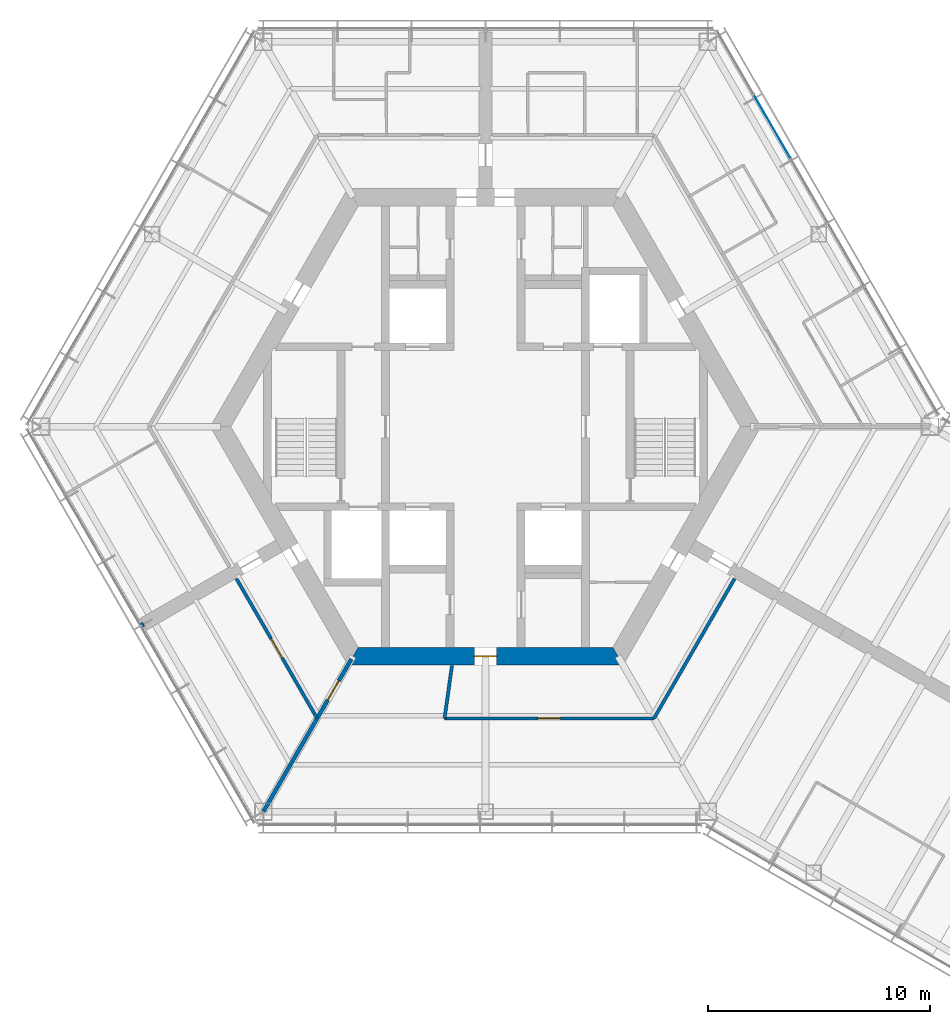
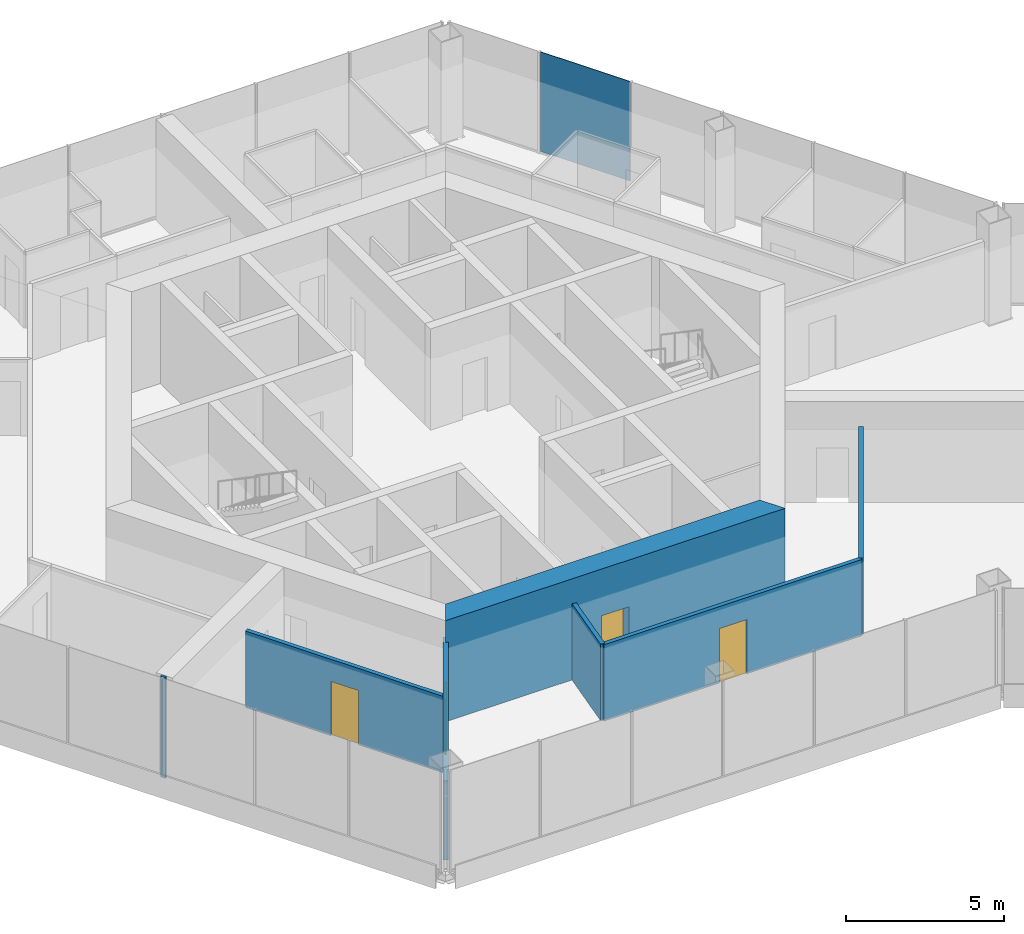
# One storey, part 9 of 14: 7 walls, 4 doors, 1 plate, 4 openings, 1 element without a shape of its own.
"""IFC4 building model written with IfcOpenShell, lengths in metres."""

from ifc_helpers import new_model, si_unit, direction, frame, frame_2d, origin, origin_2d, place, context, subcontext, project, spatial, polyline, rectangle, outline, extrude, material, layer, layer_set, type_object, element, fill, aggregate, save


model = new_model("IFC4")

# Units and contexts
model_context = context("Model", 3, precision=1e-05, world=origin(), true_north=direction((0.0, 1.0)))
body_context = subcontext(model_context, "Body", "Model", "MODEL_VIEW")
ifc_project = project(units=[si_unit("LENGTHUNIT", "METRE"), si_unit("AREAUNIT", "SQUARE_METRE"), si_unit("VOLUMEUNIT", "CUBIC_METRE"), si_unit("PLANEANGLEUNIT", "RADIAN"), si_unit("MASSUNIT", "GRAM", prefix="KILO")], contexts=[model_context])

# Site, building, storey
site_placement = place(None, origin())
site = spatial("IfcSite", under=ifc_project, at=site_placement, CompositionType="ELEMENT")
building_placement = place(site_placement, origin())
building = spatial("IfcBuilding", under=site, at=building_placement, Name="Kasaneha Research Tower", CompositionType="ELEMENT")
storey_placement = place(building_placement, frame((0.0, 0.0, 216.699951171875)))
storey = spatial("IfcBuildingStorey", under=building, at=storey_placement, Name="L54", CompositionType="ELEMENT", Elevation=216.699951171875)

# Curtain wall, plate
ifc_material_1 = material(Name="Glass and aluminium", Category="aluminium")
curtain_wall_type = type_object("IfcCurtainWallType", Name="High-rise office curtain wall", PredefinedType="USERDEFINED", material=ifc_material_1)
curtain_wall_placement = place(storey_placement, origin())
curtain_wall = element("IfcCurtainWall", 1, at=curtain_wall_placement, inside=storey, type_object=curtain_wall_type, Name="CW-O3 L54 run 01a", ObjectType="UNITISED CURTAIN WALL", PredefinedType="USERDEFINED")
ifc_material_2 = material(Name="Laminated double glazing", Category="glass")
ifc_layer_1 = layer(ifc_material_2, 0.02392578125)
ifc_layer_set_1 = layer_set([ifc_layer_1], Name="CW-O3 glazed panel")
plate_type = type_object("IfcPlateType", Name="CW-O3 glazed panel", PredefinedType="CURTAIN_PANEL", material=ifc_layer_set_1)
plate_placement = place(storey_placement, frame((12.89453125, 13.5068359375, 0.06005859375), z_axis=(0.0, 0.0, 1.0), x_axis=(-0.499999979232, 0.866025415775, 0.0)))
plate = element("IfcPlate", 2, at=plate_placement, type_object=plate_type, Name="CW-O3 panel 5", PredefinedType="CURTAIN_PANEL", context=body_context, shape_type="SweptSolid", body=[
    extrude(rectangle(XDim=3.27099609375, YDim=0.02392578125, at=origin_2d()), origin(), (0.0, 0.0, 1.0), 3.840087890625),
])
aggregate(curtain_wall, [plate])

# Wall, opening, door
ifc_material_3 = material(Name="Concrete Fc60", Category="concrete")
ifc_layer_2 = layer(ifc_material_3, 0.800048828125)
ifc_layer_set_2 = layer_set([ifc_layer_2], Name="Core wall 800 Fc60")
wall_type_1 = type_object("IfcWallType", Name="Core wall 800 Fc60", PredefinedType="SHEAR", material=ifc_layer_set_2)
wall_1_placement = place(storey_placement, frame((-5.961181640625, -10.324951171875, 0.0), z_axis=(0.0, 0.0, 1.0), x_axis=(1.0, 0.0, 0.0)))
wall_1 = element("IfcWall", 3, at=wall_1_placement, inside=storey, type_object=wall_type_1, Name="Core wall 270 L54", PredefinedType="SHEAR", context=body_context, shape_type="SweptSolid", body=[
    extrude(outline(polyline([(-0.23095703125, -0.39990234375), (5.461181640625, -0.39990234375), (6.461181640625, -0.39990234375), (12.1533203125, -0.39990234375), (11.69140625, 0.39990234375), (6.461181640625, 0.39990234375), (5.461181640625, 0.39990234375), (0.23095703125, 0.39990234375), (-0.23095703125, -0.39990234375)])), origin(), (0.0, 0.0, 1.0), 3.900146484375),
])
opening_1_placement = place(wall_1_placement, frame((5.461181640625, 0.0, 0.0)))
opening_1 = element("IfcOpeningElement", 4, at=opening_1_placement, cuts=wall_1, Name="Opening L54-D03", PredefinedType="OPENING", context=body_context, shape_type="SweptSolid", body=[
    extrude(rectangle(XDim=1.0, YDim=2.10009765625, at=frame_2d((0.5, 1.050048828125))), frame((0.0, 0.41015625, 0.0), z_axis=(0.0, -1.0, 0.0), x_axis=(1.0, 0.0, 0.0)), (0.0, 0.0, 1.0), 0.820068359375),
])
ifc_material_4 = material(Name="Steel", Category="steel")
door_type_1 = type_object("IfcDoorType", Name="Fire door FD20 1000x2100", OperationType="NOTDEFINED", PredefinedType="DOOR", material=ifc_material_4)
door_1_placement = place(opening_1_placement, origin())
door_1 = element("IfcDoor", 5, at=door_1_placement, inside=storey, type_object=door_type_1, Name="Core door south L54-D03", OperationType="SINGLE_SWING_LEFT", OverallHeight=2.10009765625, OverallWidth=1.0, PredefinedType="DOOR", context=body_context, shape_type="SweptSolid", body=[
    extrude(rectangle(XDim=1.0, YDim=2.10009765625, at=frame_2d((0.5, 1.050048828125))), frame((0.0, 0.02490234375, 0.0), z_axis=(0.0, -1.0, 0.0), x_axis=(1.0, 0.0, 0.0)), (0.0, 0.0, 1.0), 0.050048828125),
])
fill(opening_1, door_1)

ifc_material_5 = material(Name="Gypsum board on steel studs, two layers each side", Category="steel")
ifc_layer_3 = layer(ifc_material_5, 0.14990234375)
ifc_layer_set_3 = layer_set([ifc_layer_3], Name="Suite partition 150")
wall_type_2 = type_object("IfcWallType", Name="Suite partition 150", PredefinedType="PARTITIONING", material=ifc_layer_set_3)
wall_2_placement = place(storey_placement, frame((-7.58935546875, -13.10498046875, 0.0), z_axis=(0.0, 0.0, 1.0), x_axis=(-0.499986333712, 0.866033293876, 0.0)))
wall_2 = element("IfcWall", 6, at=wall_2_placement, inside=storey, type_object=wall_type_2, Name="Suite partition FBS01 L54", PredefinedType="PARTITIONING", context=body_context, shape_type="SweptSolid", body=[
    extrude(rectangle(XDim=7.234619140625, YDim=0.14990234375, at=frame_2d((3.6171875, 0.0))), origin(), (0.0, 0.0, 1.0), 2.949951171875),
])
opening_2_placement = place(wall_2_placement, frame((3.1171875, 0.0, 0.0)))
opening_2 = element("IfcOpeningElement", 7, at=opening_2_placement, cuts=wall_2, Name="Opening L54-D40", PredefinedType="OPENING", context=body_context, shape_type="SweptSolid", body=[
    extrude(rectangle(XDim=1.0, YDim=2.10009765625, at=frame_2d((0.5, 1.050048828125))), frame((0.0, 0.0849609375, 0.0), z_axis=(0.0, -1.0, 0.0), x_axis=(1.0, 0.0, 0.0)), (0.0, 0.0, 1.0), 0.169921875),
])
ifc_material_6 = material(Name="Steel", Category="steel")
door_type_2 = type_object("IfcDoorType", Name="Suite entrance door FD60 1000x2100", OperationType="NOTDEFINED", PredefinedType="DOOR", material=ifc_material_6)
door_2_placement = place(opening_2_placement, origin())
door_2 = element("IfcDoor", 8, at=door_2_placement, inside=storey, type_object=door_type_2, Name="Suite entrance door L54-D40", OperationType="SINGLE_SWING_LEFT", OverallHeight=2.10009765625, OverallWidth=1.0, PredefinedType="DOOR", context=body_context, shape_type="SweptSolid", body=[
    extrude(rectangle(XDim=1.0, YDim=2.10009765625, at=frame_2d((0.5, 1.050048828125))), frame((0.0, 0.02490234375, 0.0), z_axis=(0.0, -1.0, 0.0), x_axis=(1.0, 0.0, 0.0)), (0.0, 0.0, 1.0), 0.050048828125),
])
fill(opening_2, door_2)

# Wall
wall_3_placement = place(storey_placement, frame((-1.844482421875, -13.125, 0.0), z_axis=(0.0, 0.0, 1.0), x_axis=(0.139173892267, 0.99026795753, 0.0)))
element("IfcWall", 9, at=wall_3_placement, inside=storey, type_object=wall_type_2, Name="Suite partition FCS01 L54", PredefinedType="PARTITIONING", context=body_context, shape_type="SweptSolid", body=[
    extrude(rectangle(XDim=2.4033203125, YDim=0.14990234375, at=frame_2d((1.20166015625, 0.0))), origin(), (0.0, 0.0, 1.0), 2.949951171875),
])

# Wall, opening, door
wall_4_placement = place(storey_placement, frame((7.57763671875, -13.125, 0.0), z_axis=(0.0, 0.0, 1.0), x_axis=(-1.0, 0.0, 0.0)))
wall_4 = element("IfcWall", 10, at=wall_4_placement, inside=storey, type_object=wall_type_2, Name="Suite partition FCS02 L54", PredefinedType="PARTITIONING", context=body_context, shape_type="SweptSolid", body=[
    extrude(rectangle(XDim=9.422119140625, YDim=0.14990234375, at=frame_2d((4.7109375, 0.0))), origin(), (0.0, 0.0, 1.0), 2.949951171875),
])
opening_3_placement = place(wall_4_placement, frame((4.211181640625, 0.0, 0.0)))
opening_3 = element("IfcOpeningElement", 11, at=opening_3_placement, cuts=wall_4, Name="Opening L54-D42", PredefinedType="OPENING", context=body_context, shape_type="SweptSolid", body=[
    extrude(rectangle(XDim=1.0, YDim=2.10009765625, at=frame_2d((0.5, 1.050048828125))), frame((0.0, 0.0849609375, 0.0), z_axis=(0.0, -1.0, 0.0), x_axis=(1.0, 0.0, 0.0)), (0.0, 0.0, 1.0), 0.169921875),
])
door_3_placement = place(opening_3_placement, origin())
door_3 = element("IfcDoor", 12, at=door_3_placement, inside=storey, type_object=door_type_2, Name="Suite entrance door L54-D42", OperationType="SINGLE_SWING_LEFT", OverallHeight=2.10009765625, OverallWidth=1.0, PredefinedType="DOOR", context=body_context, shape_type="SweptSolid", body=[
    extrude(rectangle(XDim=1.0, YDim=2.10009765625, at=frame_2d((0.5, 1.050048828125))), frame((0.0, 0.02490234375, 0.0), z_axis=(0.0, -1.0, 0.0), x_axis=(1.0, 0.0, 0.0)), (0.0, 0.0, 1.0), 0.050048828125),
])
fill(opening_3, door_3)

# Wall
wall_5_placement = place(storey_placement, frame((11.20654296875, -6.839599609375, 0.0), z_axis=(0.0, 0.0, 1.0), x_axis=(-0.500002959843, -0.866023694911, 0.0)))
element("IfcWall", 13, at=wall_5_placement, inside=storey, type_object=wall_type_2, Name="Suite partition FCS03 L54", PredefinedType="PARTITIONING", context=body_context, shape_type="SweptSolid", body=[
    extrude(rectangle(XDim=7.2578125, YDim=0.14990234375, at=frame_2d((3.62890625, 0.0))), origin(), (0.0, 0.0, 1.0), 2.949951171875),
])

# Wall, opening, door
ifc_material_7 = material(Name="Gypsum board on steel studs, two layers each side", Category="steel")
ifc_layer_4 = layer(ifc_material_7, 0.175048828125)
ifc_layer_set_4 = layer_set([ifc_layer_4], Name="Tenancy fire partition 175")
wall_type_3 = type_object("IfcWallType", Name="Tenancy fire partition 175", PredefinedType="PARTITIONING", material=ifc_layer_set_4)
wall_6_placement = place(storey_placement, frame((-6.034912109375, -10.45263671875, 0.0), z_axis=(0.0, 0.0, 1.0), x_axis=(-0.499989830942, -0.866031274813, 0.0)))
wall_6 = element("IfcWall", 14, at=wall_6_placement, inside=storey, type_object=wall_type_3, Name="Tenancy fire partition T240 L54", PredefinedType="PARTITIONING", context=body_context, shape_type="SweptSolid", body=[
    extrude(rectangle(XDim=7.930419921875, YDim=0.175048828125, at=frame_2d((3.96533203125, 0.0))), origin(), (0.0, 0.0, 1.0), 3.050048828125),
])
opening_4_placement = place(wall_6_placement, frame((1.1298828125, 0.0, 0.0)))
opening_4 = element("IfcOpeningElement", 15, at=opening_4_placement, cuts=wall_6, Name="Opening L54-D27", PredefinedType="OPENING", context=body_context, shape_type="SweptSolid", body=[
    extrude(rectangle(XDim=1.0, YDim=2.10009765625, at=frame_2d((0.5, 1.050048828125))), frame((0.0, 0.09765625, 0.0), z_axis=(0.0, -1.0, 0.0), x_axis=(1.0, 0.0, 0.0)), (0.0, 0.0, 1.0), 0.195068359375),
])
door_4_placement = place(opening_4_placement, origin())
door_4 = element("IfcDoor", 16, at=door_4_placement, inside=storey, type_object=door_type_2, Name="Connecting door L54-D27", OperationType="SINGLE_SWING_RIGHT", OverallHeight=2.10009765625, OverallWidth=1.0, PredefinedType="DOOR", context=body_context, shape_type="SweptSolid", body=[
    extrude(rectangle(XDim=1.0, YDim=2.10009765625, at=frame_2d((0.5, 1.050048828125))), frame((0.0, 0.02490234375, 0.0), z_axis=(0.0, -1.0, 0.0), x_axis=(1.0, 0.0, 0.0)), (0.0, 0.0, 1.0), 0.050048828125),
])
fill(opening_4, door_4)

# Wall
wall_7_placement = place(storey_placement, frame((-15.3896484375, -8.88525390625, 0.0), z_axis=(0.0, 0.0, 1.0), x_axis=(-0.866472036435, -0.499225610396, 0.0)))
element("IfcWall", 17, at=wall_7_placement, inside=storey, type_object=wall_type_3, Name="Spine wall closer SW4-600 L54", PredefinedType="PARTITIONING", context=body_context, shape_type="SweptSolid", body=[
    extrude(rectangle(XDim=0.085205078125, YDim=0.175048828125, at=frame_2d((0.04248046875, 0.0))), origin(), (0.0, 0.0, 1.0), 3.900146484375),
])

save(model, "model.ifc")
